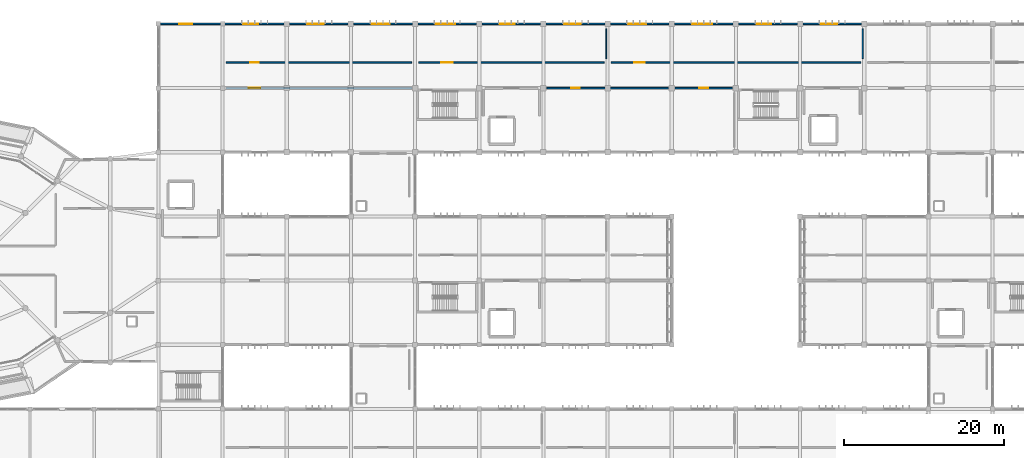
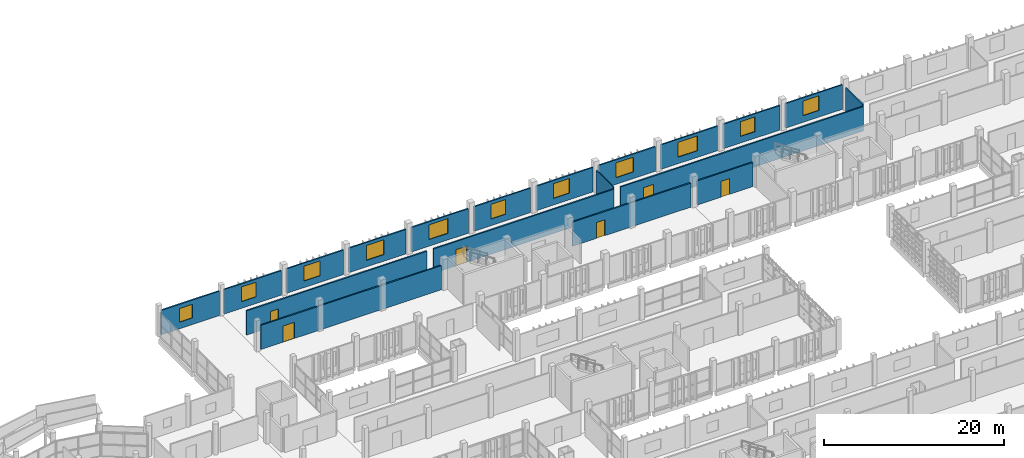
# One storey, part 70 of 83: 19 walls, 11 windows, 6 doors, 17 openings.
"""IFC4 building model written with IfcOpenShell, lengths in metres."""

from ifc_helpers import new_model, si_unit, direction, frame, frame_2d, origin, place, context, subcontext, project, spatial, rectangle, extrude, material, layer, layer_set, type_object, element, fill, save


model = new_model("IFC4")

# Units and contexts
model_context = context("Model", 3, precision=1e-05, world=origin(), true_north=direction((0.0, 1.0)))
body_context = subcontext(model_context, "Body", "Model", "MODEL_VIEW")
ifc_project = project(units=[si_unit("LENGTHUNIT", "METRE"), si_unit("AREAUNIT", "SQUARE_METRE"), si_unit("VOLUMEUNIT", "CUBIC_METRE"), si_unit("PLANEANGLEUNIT", "RADIAN"), si_unit("MASSUNIT", "GRAM", prefix="KILO")], contexts=[model_context])

# Site, building, storey
site_placement = place(None, origin())
site = spatial("IfcSite", under=ifc_project, at=site_placement, CompositionType="ELEMENT")
building_placement = place(site_placement, origin())
building = spatial("IfcBuilding", under=site, at=building_placement, Name="Jelvoka-Kovrelna Polytechnic", CompositionType="ELEMENT")
storey_placement = place(building_placement, frame((0.0, 0.0, 13.800048828125)))
storey = spatial("IfcBuildingStorey", under=building, at=storey_placement, Name="L04", CompositionType="ELEMENT", Elevation=13.800048828125)

# Wall, opening, door
ifc_material_1 = material(Name="Autoclaved aerated concrete blockwork", Category="masonry")
ifc_layer_1 = layer(ifc_material_1, 0.179931640625)
ifc_layer_set_1 = layer_set([ifc_layer_1], Name="Autoclaved aerated concrete blockwork")
wall_type_1 = type_object("IfcWallType", Name="Wall_Corridor_180", PredefinedType="PARTITIONING", material=ifc_layer_set_1)
wall_1_placement = place(storey_placement, frame((56.429931640625, 64.0, 0.0), z_axis=(0.0, 0.0, 1.0), x_axis=(1.0, 0.0, 0.0)))
wall_1 = element("IfcWall", 1, at=wall_1_placement, inside=storey, type_object=wall_type_1, Name="L04 interior wall 1135", PredefinedType="PARTITIONING", context=body_context, shape_type="SweptSolid", body=[
    extrude(rectangle(XDim=23.14013671875, YDim=0.179931640625, at=frame_2d((11.570068359375, 0.0))), origin(), (0.0, 0.0, 1.0), 3.27490234375),
])
opening_1_placement = place(wall_1_placement, frame((2.85009765625, 0.0, 0.0)))
opening_1 = element("IfcOpeningElement", 2, at=opening_1_placement, cuts=wall_1, Name="Opening D-L04-350", PredefinedType="OPENING", context=body_context, shape_type="SweptSolid", body=[
    extrude(rectangle(XDim=1.43994140625, YDim=2.199951171875, at=frame_2d((0.719970703125, 1.10009765625))), frame((0.0, 0.099853515625, 0.0), z_axis=(0.0, -1.0, 0.0), x_axis=(1.0, 0.0, 0.0)), (0.0, 0.0, 1.0), 0.199951171875),
])
ifc_material_2 = material(Name="Paired hardwood fire-resisting lab door", Category="wood")
door_type_1 = type_object("IfcDoorType", Name="Door_Fire_FD30_06", OperationType="NOTDEFINED", PredefinedType="DOOR", material=ifc_material_2)
door_1_placement = place(opening_1_placement, origin())
door_1 = element("IfcDoor", 3, at=door_1_placement, inside=storey, type_object=door_type_1, Name="L04 interior door D-L04-350", OperationType="DOUBLE_DOOR_SINGLE_SWING", OverallHeight=2.199951171875, OverallWidth=1.43994140625, PredefinedType="DOOR", context=body_context, shape_type="SweptSolid", body=[
    extrude(rectangle(XDim=1.43994140625, YDim=2.199951171875, at=frame_2d((0.719970703125, 1.10009765625))), frame((0.0, 0.02490234375, 0.0), z_axis=(0.0, -1.0, 0.0), x_axis=(1.0, 0.0, 0.0)), (0.0, 0.0, 1.0), 0.050048828125),
])
fill(opening_1, door_1)

wall_2_placement = place(storey_placement, frame((96.429931640625, 64.0, 0.0), z_axis=(0.0, 0.0, 1.0), x_axis=(1.0, 0.0, 0.0)))
wall_2 = element("IfcWall", 4, at=wall_2_placement, inside=storey, type_object=wall_type_1, Name="L04 interior wall 1136", PredefinedType="PARTITIONING", context=body_context, shape_type="SweptSolid", body=[
    extrude(rectangle(XDim=15.14013671875, YDim=0.179931640625, at=frame_2d((7.570068359375, 0.0))), origin(), (0.0, 0.0, 1.0), 3.27490234375),
])
opening_2_placement = place(wall_2_placement, frame((3.030029296875, 0.0, 0.0)))
opening_2 = element("IfcOpeningElement", 5, at=opening_2_placement, cuts=wall_2, Name="Opening D-L04-351", PredefinedType="OPENING", context=body_context, shape_type="SweptSolid", body=[
    extrude(rectangle(XDim=1.080078125, YDim=2.14990234375, at=frame_2d((0.5400390625, 1.074951171875))), frame((0.0, 0.099853515625, 0.0), z_axis=(0.0, -1.0, 0.0), x_axis=(1.0, 0.0, 0.0)), (0.0, 0.0, 1.0), 0.199951171875),
])
ifc_material_3 = material(Name="Hardwood acoustic seminar door", Category="wood")
door_type_2 = type_object("IfcDoorType", Name="Door_Int_D10", OperationType="NOTDEFINED", PredefinedType="DOOR", material=ifc_material_3)
door_2_placement = place(opening_2_placement, origin())
door_2 = element("IfcDoor", 6, at=door_2_placement, inside=storey, type_object=door_type_2, Name="L04 interior door D-L04-351", OperationType="SINGLE_SWING_RIGHT", OverallHeight=2.14990234375, OverallWidth=1.080078125, PredefinedType="DOOR", context=body_context, shape_type="SweptSolid", body=[
    extrude(rectangle(XDim=1.080078125, YDim=2.14990234375, at=frame_2d((0.5400390625, 1.074951171875))), frame((0.0, 0.02490234375, 0.0), z_axis=(0.0, -1.0, 0.0), x_axis=(1.0, 0.0, 0.0)), (0.0, 0.0, 1.0), 0.050048828125),
])
fill(opening_2, door_2)

wall_3_placement = place(storey_placement, frame((112.429931640625, 64.0, 0.0), z_axis=(0.0, 0.0, 1.0), x_axis=(1.0, 0.0, 0.0)))
wall_3 = element("IfcWall", 7, at=wall_3_placement, inside=storey, type_object=wall_type_1, Name="L04 interior wall 1137", PredefinedType="PARTITIONING", context=body_context, shape_type="SweptSolid", body=[
    extrude(rectangle(XDim=7.14013671875, YDim=0.179931640625, at=frame_2d((3.570068359375, 0.0))), origin(), (0.0, 0.0, 1.0), 3.27490234375),
])
opening_3_placement = place(wall_3_placement, frame((3.0, 0.0, 0.0)))
opening_3 = element("IfcOpeningElement", 8, at=opening_3_placement, cuts=wall_3, Name="Opening D-L04-352", PredefinedType="OPENING", context=body_context, shape_type="SweptSolid", body=[
    extrude(rectangle(XDim=1.139892578125, YDim=2.14990234375, at=frame_2d((0.56982421875, 1.074951171875))), frame((0.0, 0.099853515625, 0.0), z_axis=(0.0, -1.0, 0.0), x_axis=(1.0, 0.0, 0.0)), (0.0, 0.0, 1.0), 0.199951171875),
])
ifc_material_4 = material(Name="Laboratory vision-panel door", Category="wood")
door_type_3 = type_object("IfcDoorType", Name="Door_Int_D11", OperationType="NOTDEFINED", PredefinedType="DOOR", material=ifc_material_4)
door_3_placement = place(opening_3_placement, origin())
door_3 = element("IfcDoor", 9, at=door_3_placement, inside=storey, type_object=door_type_3, Name="L04 interior door D-L04-352", OperationType="SINGLE_SWING_LEFT", OverallHeight=2.14990234375, OverallWidth=1.139892578125, PredefinedType="DOOR", context=body_context, shape_type="SweptSolid", body=[
    extrude(rectangle(XDim=1.139892578125, YDim=2.14990234375, at=frame_2d((0.56982421875, 1.074951171875))), frame((0.0, 0.02490234375, 0.0), z_axis=(0.0, -1.0, 0.0), x_axis=(1.0, 0.0, 0.0)), (0.0, 0.0, 1.0), 0.050048828125),
])
fill(opening_3, door_3)

wall_4_placement = place(storey_placement, frame((56.429931640625, 67.199951171875, 0.0), z_axis=(0.0, 0.0, 1.0), x_axis=(1.0, 0.0, 0.0)))
wall_4 = element("IfcWall", 10, at=wall_4_placement, inside=storey, type_object=wall_type_1, Name="L04 interior wall 1141", PredefinedType="PARTITIONING", context=body_context, shape_type="SweptSolid", body=[
    extrude(rectangle(XDim=23.14013671875, YDim=0.179931640625, at=frame_2d((11.570068359375, 0.0))), origin(), (0.0, 0.0, 1.0), 3.300048828125),
])
opening_4_placement = place(wall_4_placement, frame((3.044921875, 0.0, 0.0)))
opening_4 = element("IfcOpeningElement", 11, at=opening_4_placement, cuts=wall_4, Name="Opening D-L04-355", PredefinedType="OPENING", context=body_context, shape_type="SweptSolid", body=[
    extrude(rectangle(XDim=1.050048828125, YDim=2.14990234375, at=frame_2d((0.52490234375, 1.074951171875))), frame((0.0, 0.099853515625, 0.0), z_axis=(0.0, -1.0, 0.0), x_axis=(1.0, 0.0, 0.0)), (0.0, 0.0, 1.0), 0.199951171875),
])
ifc_material_5 = material(Name="Hardwood fire-resisting laboratory door", Category="wood")
door_type_4 = type_object("IfcDoorType", Name="Door_Fire_FD30_02", OperationType="NOTDEFINED", PredefinedType="DOOR", material=ifc_material_5)
door_4_placement = place(opening_4_placement, origin())
door_4 = element("IfcDoor", 12, at=door_4_placement, inside=storey, type_object=door_type_4, Name="L04 interior door D-L04-355", OperationType="SINGLE_SWING_LEFT", OverallHeight=2.14990234375, OverallWidth=1.050048828125, PredefinedType="DOOR", context=body_context, shape_type="SweptSolid", body=[
    extrude(rectangle(XDim=1.050048828125, YDim=2.14990234375, at=frame_2d((0.52490234375, 1.074951171875))), frame((0.0, 0.02490234375, 0.0), z_axis=(0.0, -1.0, 0.0), x_axis=(1.0, 0.0, 0.0)), (0.0, 0.0, 1.0), 0.050048828125),
])
fill(opening_4, door_4)

wall_5_placement = place(storey_placement, frame((80.429931640625, 67.199951171875, 0.0), z_axis=(0.0, 0.0, 1.0), x_axis=(1.0, 0.0, 0.0)))
wall_5 = element("IfcWall", 13, at=wall_5_placement, inside=storey, type_object=wall_type_1, Name="L04 interior wall 1142", PredefinedType="PARTITIONING", context=body_context, shape_type="SweptSolid", body=[
    extrude(rectangle(XDim=23.14013671875, YDim=0.179931640625, at=frame_2d((11.570068359375, 0.0))), origin(), (0.0, 0.0, 1.0), 3.300048828125),
])
opening_5_placement = place(wall_5_placement, frame((2.860107421875, 0.0, 0.0)))
opening_5 = element("IfcOpeningElement", 14, at=opening_5_placement, cuts=wall_5, Name="Opening D-L04-356", PredefinedType="OPENING", context=body_context, shape_type="SweptSolid", body=[
    extrude(rectangle(XDim=1.419921875, YDim=2.199951171875, at=frame_2d((0.7099609375, 1.10009765625))), frame((0.0, 0.099853515625, 0.0), z_axis=(0.0, -1.0, 0.0), x_axis=(1.0, 0.0, 0.0)), (0.0, 0.0, 1.0), 0.199951171875),
])
ifc_material_6 = material(Name="Paired laboratory equipment door", Category="wood")
door_type_5 = type_object("IfcDoorType", Name="Door_Int_D16", OperationType="NOTDEFINED", PredefinedType="DOOR", material=ifc_material_6)
door_5_placement = place(opening_5_placement, origin())
door_5 = element("IfcDoor", 15, at=door_5_placement, inside=storey, type_object=door_type_5, Name="L04 interior door D-L04-356", OperationType="DOUBLE_DOOR_SINGLE_SWING", OverallHeight=2.199951171875, OverallWidth=1.419921875, PredefinedType="DOOR", context=body_context, shape_type="SweptSolid", body=[
    extrude(rectangle(XDim=1.419921875, YDim=2.199951171875, at=frame_2d((0.7099609375, 1.10009765625))), frame((0.0, 0.02490234375, 0.0), z_axis=(0.0, -1.0, 0.0), x_axis=(1.0, 0.0, 0.0)), (0.0, 0.0, 1.0), 0.050048828125),
])
fill(opening_5, door_5)

wall_6_placement = place(storey_placement, frame((104.429931640625, 67.199951171875, 0.0), z_axis=(0.0, 0.0, 1.0), x_axis=(1.0, 0.0, 0.0)))
wall_6 = element("IfcWall", 16, at=wall_6_placement, inside=storey, type_object=wall_type_1, Name="L04 interior wall 1144", PredefinedType="PARTITIONING", context=body_context, shape_type="SweptSolid", body=[
    extrude(rectangle(XDim=31.14013671875, YDim=0.179931640625, at=frame_2d((15.570068359375, 0.0))), origin(), (0.0, 0.0, 1.0), 3.300048828125),
])
opening_6_placement = place(wall_6_placement, frame((2.919921875, 0.0, 0.0)))
opening_6 = element("IfcOpeningElement", 17, at=opening_6_placement, cuts=wall_6, Name="Opening D-L04-357", PredefinedType="OPENING", context=body_context, shape_type="SweptSolid", body=[
    extrude(rectangle(XDim=1.300048828125, YDim=2.179931640625, at=frame_2d((0.64990234375, 1.08984375))), frame((0.0, 0.099853515625, 0.0), z_axis=(0.0, -1.0, 0.0), x_axis=(1.0, 0.0, 0.0)), (0.0, 0.0, 1.0), 0.199951171875),
])
ifc_material_7 = material(Name="Hardwood fire-resisting reading hall door", Category="wood")
door_type_6 = type_object("IfcDoorType", Name="Door_Fire_FD30_05", OperationType="NOTDEFINED", PredefinedType="DOOR", material=ifc_material_7)
door_6_placement = place(opening_6_placement, origin())
door_6 = element("IfcDoor", 18, at=door_6_placement, inside=storey, type_object=door_type_6, Name="L04 interior door D-L04-357", OperationType="SINGLE_SWING_RIGHT", OverallHeight=2.179931640625, OverallWidth=1.300048828125, PredefinedType="DOOR", context=body_context, shape_type="SweptSolid", body=[
    extrude(rectangle(XDim=1.300048828125, YDim=2.179931640625, at=frame_2d((0.64990234375, 1.08984375))), frame((0.0, 0.02490234375, 0.0), z_axis=(0.0, -1.0, 0.0), x_axis=(1.0, 0.0, 0.0)), (0.0, 0.0, 1.0), 0.050048828125),
])
fill(opening_6, door_6)

# Wall, opening, window
ifc_material_8 = material(Name="Precast concrete C40/50", Category="concrete")
ifc_layer_2 = layer(ifc_material_8, 0.18505859375)
ifc_layer_set_2 = layer_set([ifc_layer_2], Name="Precast concrete C40/50")
wall_type_2 = type_object("IfcWallType", Name="Wall_Ext_White_260", PredefinedType="STANDARD", material=ifc_layer_set_2)
wall_7_placement = place(storey_placement, frame((56.27197265625, 72.0, 0.0), z_axis=(0.0, 0.0, 1.0), x_axis=(1.0, 0.0, 0.0)))
wall_7 = element("IfcWall", 19, at=wall_7_placement, inside=storey, type_object=wall_type_2, Name="L04 exterior wall 0676", PredefinedType="STANDARD", context=body_context, shape_type="SweptSolid", body=[
    extrude(rectangle(XDim=7.406005859375, YDim=0.18505859375, at=frame_2d((3.703125, 0.0))), origin(), (0.0, 0.0, 1.0), 3.324951171875),
])
opening_7_placement = place(wall_7_placement, frame((2.30810546875, 0.0, 0.89990234375)))
opening_7 = element("IfcOpeningElement", 20, at=opening_7_placement, cuts=wall_7, Name="Opening W-L04-342", PredefinedType="OPENING", context=body_context, shape_type="SweptSolid", body=[
    extrude(rectangle(XDim=1.85009765625, YDim=2.0, at=frame_2d((0.925048828125, 1.0))), frame((0.0, 0.1025390625, 0.0), z_axis=(0.0, -1.0, 0.0), x_axis=(1.0, 0.0, 0.0)), (0.0, 0.0, 1.0), 0.205078125),
])
ifc_material_9 = material(Name="Thermally broken anodised aluminium and low-e glazing", Category="aluminium")
window_type_1 = type_object("IfcWindowType", Name="Win_Casement_W55", PartitioningType="DOUBLE_PANEL_VERTICAL", PredefinedType="WINDOW", material=ifc_material_9)
window_1_placement = place(opening_7_placement, origin())
window_1 = element("IfcWindow", 21, at=window_1_placement, inside=storey, type_object=window_type_1, Name="L04 aluminium casement window W-L04-342", OverallHeight=2.0, OverallWidth=1.85009765625, PartitioningType="DOUBLE_PANEL_VERTICAL", PredefinedType="WINDOW", context=body_context, shape_type="SweptSolid", body=[
    extrude(rectangle(XDim=1.85009765625, YDim=2.0, at=frame_2d((0.925048828125, 1.0))), frame((0.0, 0.030029296875, 0.0), z_axis=(0.0, -1.0, 0.0), x_axis=(1.0, 0.0, 0.0)), (0.0, 0.0, 1.0), 0.06005859375),
])
fill(opening_7, window_1)

wall_8_placement = place(storey_placement, frame((64.322021484375, 72.0, 0.0), z_axis=(0.0, 0.0, 1.0), x_axis=(1.0, 0.0, 0.0)))
wall_8 = element("IfcWall", 22, at=wall_8_placement, inside=storey, type_object=wall_type_2, Name="L04 exterior wall 0678", PredefinedType="STANDARD", context=body_context, shape_type="SweptSolid", body=[
    extrude(rectangle(XDim=7.3310546875, YDim=0.18505859375, at=frame_2d((3.66552734375, 0.0))), origin(), (0.0, 0.0, 1.0), 3.324951171875),
])
opening_8_placement = place(wall_8_placement, frame((2.258056640625, 0.0, 0.89990234375)))
opening_8 = element("IfcOpeningElement", 23, at=opening_8_placement, cuts=wall_8, Name="Opening W-L04-344", PredefinedType="OPENING", context=body_context, shape_type="SweptSolid", body=[
    extrude(rectangle(XDim=2.050048828125, YDim=2.0, at=frame_2d((1.02490234375, 1.0))), frame((0.0, 0.1025390625, 0.0), z_axis=(0.0, -1.0, 0.0), x_axis=(1.0, 0.0, 0.0)), (0.0, 0.0, 1.0), 0.205078125),
])
ifc_material_10 = material(Name="Thermally broken anodised aluminium and low-e glazing", Category="aluminium")
window_type_2 = type_object("IfcWindowType", Name="Win_Casement_W56", PartitioningType="DOUBLE_PANEL_VERTICAL", PredefinedType="WINDOW", material=ifc_material_10)
window_2_placement = place(opening_8_placement, origin())
window_2 = element("IfcWindow", 24, at=window_2_placement, inside=storey, type_object=window_type_2, Name="L04 aluminium casement window W-L04-344", OverallHeight=2.0, OverallWidth=2.050048828125, PartitioningType="DOUBLE_PANEL_VERTICAL", PredefinedType="WINDOW", context=body_context, shape_type="SweptSolid", body=[
    extrude(rectangle(XDim=2.050048828125, YDim=2.0, at=frame_2d((1.02490234375, 1.0))), frame((0.0, 0.030029296875, 0.0), z_axis=(0.0, -1.0, 0.0), x_axis=(1.0, 0.0, 0.0)), (0.0, 0.0, 1.0), 0.06005859375),
])
fill(opening_8, window_2)

wall_9_placement = place(storey_placement, frame((72.346923828125, 72.0, 0.0), z_axis=(0.0, 0.0, 1.0), x_axis=(1.0, 0.0, 0.0)))
wall_9 = element("IfcWall", 25, at=wall_9_placement, inside=storey, type_object=wall_type_2, Name="L04 exterior wall 0679", PredefinedType="STANDARD", context=body_context, shape_type="SweptSolid", body=[
    extrude(rectangle(XDim=7.30615234375, YDim=0.18505859375, at=frame_2d((3.653076171875, 0.0))), origin(), (0.0, 0.0, 1.0), 3.324951171875),
])
opening_9_placement = place(wall_9_placement, frame((2.23291015625, 0.0, 0.89990234375)))
opening_9 = element("IfcOpeningElement", 26, at=opening_9_placement, cuts=wall_9, Name="Opening W-L04-345", PredefinedType="OPENING", context=body_context, shape_type="SweptSolid", body=[
    extrude(rectangle(XDim=2.25, YDim=2.0, at=frame_2d((1.125, 1.0))), frame((0.0, 0.1025390625, 0.0), z_axis=(0.0, -1.0, 0.0), x_axis=(1.0, 0.0, 0.0)), (0.0, 0.0, 1.0), 0.205078125),
])
ifc_material_11 = material(Name="Thermally broken anodised aluminium and low-e glazing", Category="aluminium")
window_type_3 = type_object("IfcWindowType", Name="Win_Casement_W57", PartitioningType="DOUBLE_PANEL_VERTICAL", PredefinedType="WINDOW", material=ifc_material_11)
window_3_placement = place(opening_9_placement, origin())
window_3 = element("IfcWindow", 27, at=window_3_placement, inside=storey, type_object=window_type_3, Name="L04 aluminium casement window W-L04-345", OverallHeight=2.0, OverallWidth=2.25, PartitioningType="DOUBLE_PANEL_VERTICAL", PredefinedType="WINDOW", context=body_context, shape_type="SweptSolid", body=[
    extrude(rectangle(XDim=2.25, YDim=2.0, at=frame_2d((1.125, 1.0))), frame((0.0, 0.030029296875, 0.0), z_axis=(0.0, -1.0, 0.0), x_axis=(1.0, 0.0, 0.0)), (0.0, 0.0, 1.0), 0.06005859375),
])
fill(opening_9, window_3)

wall_10_placement = place(storey_placement, frame((80.346923828125, 72.0, 0.0), z_axis=(0.0, 0.0, 1.0), x_axis=(1.0, 0.0, 0.0)))
wall_10 = element("IfcWall", 28, at=wall_10_placement, inside=storey, type_object=wall_type_2, Name="L04 exterior wall 0681", PredefinedType="STANDARD", context=body_context, shape_type="SweptSolid", body=[
    extrude(rectangle(XDim=7.30615234375, YDim=0.18505859375, at=frame_2d((3.653076171875, 0.0))), origin(), (0.0, 0.0, 1.0), 3.324951171875),
])
opening_10_placement = place(wall_10_placement, frame((2.23291015625, 0.0, 0.89990234375)))
opening_10 = element("IfcOpeningElement", 29, at=opening_10_placement, cuts=wall_10, Name="Opening W-L04-347", PredefinedType="OPENING", context=body_context, shape_type="SweptSolid", body=[
    extrude(rectangle(XDim=2.449951171875, YDim=2.0, at=frame_2d((1.22509765625, 1.0))), frame((0.0, 0.1025390625, 0.0), z_axis=(0.0, -1.0, 0.0), x_axis=(1.0, 0.0, 0.0)), (0.0, 0.0, 1.0), 0.205078125),
])
ifc_material_12 = material(Name="Thermally broken anodised aluminium and low-e glazing", Category="aluminium")
window_type_4 = type_object("IfcWindowType", Name="Win_Casement_W58", PartitioningType="DOUBLE_PANEL_VERTICAL", PredefinedType="WINDOW", material=ifc_material_12)
window_4_placement = place(opening_10_placement, origin())
window_4 = element("IfcWindow", 30, at=window_4_placement, inside=storey, type_object=window_type_4, Name="L04 aluminium casement window W-L04-347", OverallHeight=2.0, OverallWidth=2.449951171875, PartitioningType="DOUBLE_PANEL_VERTICAL", PredefinedType="WINDOW", context=body_context, shape_type="SweptSolid", body=[
    extrude(rectangle(XDim=2.449951171875, YDim=2.0, at=frame_2d((1.22509765625, 1.0))), frame((0.0, 0.030029296875, 0.0), z_axis=(0.0, -1.0, 0.0), x_axis=(1.0, 0.0, 0.0)), (0.0, 0.0, 1.0), 0.06005859375),
])
fill(opening_10, window_4)

wall_11_placement = place(storey_placement, frame((88.346923828125, 72.0, 0.0), z_axis=(0.0, 0.0, 1.0), x_axis=(1.0, 0.0, 0.0)))
wall_11 = element("IfcWall", 31, at=wall_11_placement, inside=storey, type_object=wall_type_2, Name="L04 exterior wall 0683", PredefinedType="STANDARD", context=body_context, shape_type="SweptSolid", body=[
    extrude(rectangle(XDim=7.30615234375, YDim=0.18505859375, at=frame_2d((3.653076171875, 0.0))), origin(), (0.0, 0.0, 1.0), 3.324951171875),
])
opening_11_placement = place(wall_11_placement, frame((2.23291015625, 0.0, 0.89990234375)))
opening_11 = element("IfcOpeningElement", 32, at=opening_11_placement, cuts=wall_11, Name="Opening W-L04-349", PredefinedType="OPENING", context=body_context, shape_type="SweptSolid", body=[
    extrude(rectangle(XDim=1.85009765625, YDim=2.0, at=frame_2d((0.925048828125, 1.0))), frame((0.0, 0.1025390625, 0.0), z_axis=(0.0, -1.0, 0.0), x_axis=(1.0, 0.0, 0.0)), (0.0, 0.0, 1.0), 0.205078125),
])
window_5_placement = place(opening_11_placement, origin())
window_5 = element("IfcWindow", 33, at=window_5_placement, inside=storey, type_object=window_type_1, Name="L04 aluminium casement window W-L04-349", OverallHeight=2.0, OverallWidth=1.85009765625, PartitioningType="DOUBLE_PANEL_VERTICAL", PredefinedType="WINDOW", context=body_context, shape_type="SweptSolid", body=[
    extrude(rectangle(XDim=1.85009765625, YDim=2.0, at=frame_2d((0.925048828125, 1.0))), frame((0.0, 0.030029296875, 0.0), z_axis=(0.0, -1.0, 0.0), x_axis=(1.0, 0.0, 0.0)), (0.0, 0.0, 1.0), 0.06005859375),
])
fill(opening_11, window_5)

wall_12_placement = place(storey_placement, frame((96.346923828125, 72.0, 0.0), z_axis=(0.0, 0.0, 1.0), x_axis=(1.0, 0.0, 0.0)))
wall_12 = element("IfcWall", 34, at=wall_12_placement, inside=storey, type_object=wall_type_2, Name="L04 exterior wall 0685", PredefinedType="STANDARD", context=body_context, shape_type="SweptSolid", body=[
    extrude(rectangle(XDim=7.30615234375, YDim=0.18505859375, at=frame_2d((3.653076171875, 0.0))), origin(), (0.0, 0.0, 1.0), 3.324951171875),
])
opening_12_placement = place(wall_12_placement, frame((2.23291015625, 0.0, 0.89990234375)))
opening_12 = element("IfcOpeningElement", 35, at=opening_12_placement, cuts=wall_12, Name="Opening W-L04-351", PredefinedType="OPENING", context=body_context, shape_type="SweptSolid", body=[
    extrude(rectangle(XDim=2.050048828125, YDim=2.0, at=frame_2d((1.02490234375, 1.0))), frame((0.0, 0.1025390625, 0.0), z_axis=(0.0, -1.0, 0.0), x_axis=(1.0, 0.0, 0.0)), (0.0, 0.0, 1.0), 0.205078125),
])
window_6_placement = place(opening_12_placement, origin())
window_6 = element("IfcWindow", 36, at=window_6_placement, inside=storey, type_object=window_type_2, Name="L04 aluminium casement window W-L04-351", OverallHeight=2.0, OverallWidth=2.050048828125, PartitioningType="DOUBLE_PANEL_VERTICAL", PredefinedType="WINDOW", context=body_context, shape_type="SweptSolid", body=[
    extrude(rectangle(XDim=2.050048828125, YDim=2.0, at=frame_2d((1.02490234375, 1.0))), frame((0.0, 0.030029296875, 0.0), z_axis=(0.0, -1.0, 0.0), x_axis=(1.0, 0.0, 0.0)), (0.0, 0.0, 1.0), 0.06005859375),
])
fill(opening_12, window_6)

wall_13_placement = place(storey_placement, frame((104.346923828125, 72.0, 0.0), z_axis=(0.0, 0.0, 1.0), x_axis=(1.0, 0.0, 0.0)))
wall_13 = element("IfcWall", 37, at=wall_13_placement, inside=storey, type_object=wall_type_2, Name="L04 exterior wall 0687", PredefinedType="STANDARD", context=body_context, shape_type="SweptSolid", body=[
    extrude(rectangle(XDim=7.30615234375, YDim=0.18505859375, at=frame_2d((3.653076171875, 0.0))), origin(), (0.0, 0.0, 1.0), 3.324951171875),
])
opening_13_placement = place(wall_13_placement, frame((2.23291015625, 0.0, 0.89990234375)))
opening_13 = element("IfcOpeningElement", 38, at=opening_13_placement, cuts=wall_13, Name="Opening W-L04-353", PredefinedType="OPENING", context=body_context, shape_type="SweptSolid", body=[
    extrude(rectangle(XDim=2.25, YDim=2.0, at=frame_2d((1.125, 1.0))), frame((0.0, 0.1025390625, 0.0), z_axis=(0.0, -1.0, 0.0), x_axis=(1.0, 0.0, 0.0)), (0.0, 0.0, 1.0), 0.205078125),
])
window_7_placement = place(opening_13_placement, origin())
window_7 = element("IfcWindow", 39, at=window_7_placement, inside=storey, type_object=window_type_3, Name="L04 aluminium casement window W-L04-353", OverallHeight=2.0, OverallWidth=2.25, PartitioningType="DOUBLE_PANEL_VERTICAL", PredefinedType="WINDOW", context=body_context, shape_type="SweptSolid", body=[
    extrude(rectangle(XDim=2.25, YDim=2.0, at=frame_2d((1.125, 1.0))), frame((0.0, 0.030029296875, 0.0), z_axis=(0.0, -1.0, 0.0), x_axis=(1.0, 0.0, 0.0)), (0.0, 0.0, 1.0), 0.06005859375),
])
fill(opening_13, window_7)

wall_14_placement = place(storey_placement, frame((112.346923828125, 72.0, 0.0), z_axis=(0.0, 0.0, 1.0), x_axis=(1.0, 0.0, 0.0)))
wall_14 = element("IfcWall", 40, at=wall_14_placement, inside=storey, type_object=wall_type_2, Name="L04 exterior wall 0689", PredefinedType="STANDARD", context=body_context, shape_type="SweptSolid", body=[
    extrude(rectangle(XDim=7.30615234375, YDim=0.18505859375, at=frame_2d((3.653076171875, 0.0))), origin(), (0.0, 0.0, 1.0), 3.324951171875),
])
opening_14_placement = place(wall_14_placement, frame((2.23291015625, 0.0, 0.89990234375)))
opening_14 = element("IfcOpeningElement", 41, at=opening_14_placement, cuts=wall_14, Name="Opening W-L04-355", PredefinedType="OPENING", context=body_context, shape_type="SweptSolid", body=[
    extrude(rectangle(XDim=2.449951171875, YDim=2.0, at=frame_2d((1.22509765625, 1.0))), frame((0.0, 0.1025390625, 0.0), z_axis=(0.0, -1.0, 0.0), x_axis=(1.0, 0.0, 0.0)), (0.0, 0.0, 1.0), 0.205078125),
])
window_8_placement = place(opening_14_placement, origin())
window_8 = element("IfcWindow", 42, at=window_8_placement, inside=storey, type_object=window_type_4, Name="L04 aluminium casement window W-L04-355", OverallHeight=2.0, OverallWidth=2.449951171875, PartitioningType="DOUBLE_PANEL_VERTICAL", PredefinedType="WINDOW", context=body_context, shape_type="SweptSolid", body=[
    extrude(rectangle(XDim=2.449951171875, YDim=2.0, at=frame_2d((1.22509765625, 1.0))), frame((0.0, 0.030029296875, 0.0), z_axis=(0.0, -1.0, 0.0), x_axis=(1.0, 0.0, 0.0)), (0.0, 0.0, 1.0), 0.06005859375),
])
fill(opening_14, window_8)

wall_15_placement = place(storey_placement, frame((120.346923828125, 72.0, 0.0), z_axis=(0.0, 0.0, 1.0), x_axis=(1.0, 0.0, 0.0)))
wall_15 = element("IfcWall", 43, at=wall_15_placement, inside=storey, type_object=wall_type_2, Name="L04 exterior wall 0691", PredefinedType="STANDARD", context=body_context, shape_type="SweptSolid", body=[
    extrude(rectangle(XDim=7.30615234375, YDim=0.18505859375, at=frame_2d((3.653076171875, 0.0))), origin(), (0.0, 0.0, 1.0), 3.324951171875),
])
opening_15_placement = place(wall_15_placement, frame((2.23291015625, 0.0, 0.89990234375)))
opening_15 = element("IfcOpeningElement", 44, at=opening_15_placement, cuts=wall_15, Name="Opening W-L04-357", PredefinedType="OPENING", context=body_context, shape_type="SweptSolid", body=[
    extrude(rectangle(XDim=1.85009765625, YDim=2.0, at=frame_2d((0.925048828125, 1.0))), frame((0.0, 0.1025390625, 0.0), z_axis=(0.0, -1.0, 0.0), x_axis=(1.0, 0.0, 0.0)), (0.0, 0.0, 1.0), 0.205078125),
])
window_9_placement = place(opening_15_placement, origin())
window_9 = element("IfcWindow", 45, at=window_9_placement, inside=storey, type_object=window_type_1, Name="L04 aluminium casement window W-L04-357", OverallHeight=2.0, OverallWidth=1.85009765625, PartitioningType="DOUBLE_PANEL_VERTICAL", PredefinedType="WINDOW", context=body_context, shape_type="SweptSolid", body=[
    extrude(rectangle(XDim=1.85009765625, YDim=2.0, at=frame_2d((0.925048828125, 1.0))), frame((0.0, 0.030029296875, 0.0), z_axis=(0.0, -1.0, 0.0), x_axis=(1.0, 0.0, 0.0)), (0.0, 0.0, 1.0), 0.06005859375),
])
fill(opening_15, window_9)

wall_16_placement = place(storey_placement, frame((128.346923828125, 72.0, 0.0), z_axis=(0.0, 0.0, 1.0), x_axis=(1.0, 0.0, 0.0)))
wall_16 = element("IfcWall", 46, at=wall_16_placement, inside=storey, type_object=wall_type_2, Name="L04 exterior wall 0693", PredefinedType="STANDARD", context=body_context, shape_type="SweptSolid", body=[
    extrude(rectangle(XDim=7.30615234375, YDim=0.18505859375, at=frame_2d((3.653076171875, 0.0))), origin(), (0.0, 0.0, 1.0), 3.324951171875),
])
opening_16_placement = place(wall_16_placement, frame((2.23291015625, 0.0, 0.89990234375)))
opening_16 = element("IfcOpeningElement", 47, at=opening_16_placement, cuts=wall_16, Name="Opening W-L04-359", PredefinedType="OPENING", context=body_context, shape_type="SweptSolid", body=[
    extrude(rectangle(XDim=2.050048828125, YDim=2.0, at=frame_2d((1.02490234375, 1.0))), frame((0.0, 0.1025390625, 0.0), z_axis=(0.0, -1.0, 0.0), x_axis=(1.0, 0.0, 0.0)), (0.0, 0.0, 1.0), 0.205078125),
])
window_10_placement = place(opening_16_placement, origin())
window_10 = element("IfcWindow", 48, at=window_10_placement, inside=storey, type_object=window_type_2, Name="L04 aluminium casement window W-L04-359", OverallHeight=2.0, OverallWidth=2.050048828125, PartitioningType="DOUBLE_PANEL_VERTICAL", PredefinedType="WINDOW", context=body_context, shape_type="SweptSolid", body=[
    extrude(rectangle(XDim=2.050048828125, YDim=2.0, at=frame_2d((1.02490234375, 1.0))), frame((0.0, 0.030029296875, 0.0), z_axis=(0.0, -1.0, 0.0), x_axis=(1.0, 0.0, 0.0)), (0.0, 0.0, 1.0), 0.06005859375),
])
fill(opening_16, window_10)

wall_17_placement = place(storey_placement, frame((48.27197265625, 72.0, 0.0), z_axis=(0.0, 0.0, 1.0), x_axis=(1.0, 0.0, 0.0)))
wall_17 = element("IfcWall", 49, at=wall_17_placement, inside=storey, type_object=wall_type_2, Name="L04 exterior wall 0856", PredefinedType="STANDARD", context=body_context, shape_type="SweptSolid", body=[
    extrude(rectangle(XDim=7.4560546875, YDim=0.18505859375, at=frame_2d((3.72802734375, 0.0))), origin(), (0.0, 0.0, 1.0), 3.324951171875),
])
opening_17_placement = place(wall_17_placement, frame((2.30810546875, 0.0, 0.89990234375)))
opening_17 = element("IfcOpeningElement", 50, at=opening_17_placement, cuts=wall_17, Name="Opening W-L04-497", PredefinedType="OPENING", context=body_context, shape_type="SweptSolid", body=[
    extrude(rectangle(XDim=1.64990234375, YDim=1.85009765625, at=frame_2d((0.824951171875, 0.925048828125))), frame((0.0, 0.1025390625, 0.0), z_axis=(0.0, -1.0, 0.0), x_axis=(1.0, 0.0, 0.0)), (0.0, 0.0, 1.0), 0.205078125),
])
ifc_material_13 = material(Name="Thermally broken anodised aluminium and low-e glazing", Category="aluminium")
window_type_5 = type_object("IfcWindowType", Name="Win_Casement_W44", PartitioningType="DOUBLE_PANEL_VERTICAL", PredefinedType="WINDOW", material=ifc_material_13)
window_11_placement = place(opening_17_placement, origin())
window_11 = element("IfcWindow", 51, at=window_11_placement, inside=storey, type_object=window_type_5, Name="L04 aluminium casement window W-L04-497", OverallHeight=1.85009765625, OverallWidth=1.64990234375, PartitioningType="DOUBLE_PANEL_VERTICAL", PredefinedType="WINDOW", context=body_context, shape_type="SweptSolid", body=[
    extrude(rectangle(XDim=1.64990234375, YDim=1.85009765625, at=frame_2d((0.824951171875, 0.925048828125))), frame((0.0, 0.030029296875, 0.0), z_axis=(0.0, -1.0, 0.0), x_axis=(1.0, 0.0, 0.0)), (0.0, 0.0, 1.0), 0.06005859375),
])
fill(opening_17, window_11)

# Walls
ifc_material_14 = material(Name="Acoustic gypsum stud partition")
ifc_layer_3 = layer(ifc_material_14, 0.125)
ifc_layer_set_3 = layer_set([ifc_layer_3], Name="Acoustic gypsum stud partition")
wall_type_3 = type_object("IfcWallType", Name="Wall_Partition_125", PredefinedType="PARTITIONING", material=ifc_layer_set_3)
wall_18_placement = place(storey_placement, frame((103.820068359375, 67.669921875, 0.0), z_axis=(0.0, 0.0, 1.0), x_axis=(0.0, 1.0, 0.0)))
element("IfcWall", 52, at=wall_18_placement, inside=storey, type_object=wall_type_3, Name="L04 interior wall 1143", PredefinedType="PARTITIONING", context=body_context, shape_type="SweptSolid", body=[
    extrude(rectangle(XDim=3.7099609375, YDim=0.125, at=frame_2d((1.85498046875, 0.0))), origin(), (0.0, 0.0, 1.0), 3.224853515625),
])
ifc_material_15 = material(Name="Autoclaved aerated concrete blockwork", Category="masonry")
ifc_layer_4 = layer(ifc_material_15, 0.14990234375)
ifc_layer_set_4 = layer_set([ifc_layer_4], Name="Autoclaved aerated concrete blockwork")
wall_type_4 = type_object("IfcWallType", Name="Wall_Partition_150", PredefinedType="PARTITIONING", material=ifc_layer_set_4)
wall_19_placement = place(storey_placement, frame((135.820068359375, 67.669921875, 0.0), z_axis=(0.0, 0.0, 1.0), x_axis=(0.0, 1.0, 0.0)))
element("IfcWall", 53, at=wall_19_placement, inside=storey, type_object=wall_type_4, Name="L04 interior wall 1145", PredefinedType="PARTITIONING", context=body_context, shape_type="SweptSolid", body=[
    extrude(rectangle(XDim=3.7099609375, YDim=0.14990234375, at=frame_2d((1.85498046875, 0.0))), origin(), (0.0, 0.0, 1.0), 3.224853515625),
])

save(model, "model.ifc")
